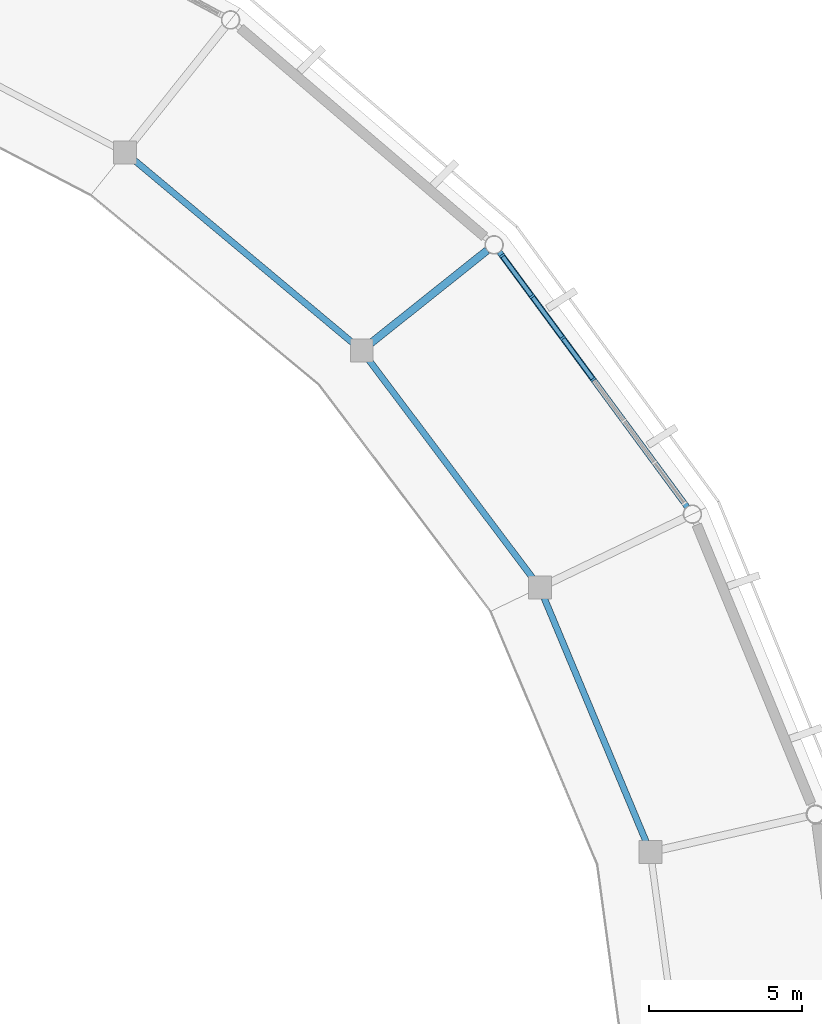
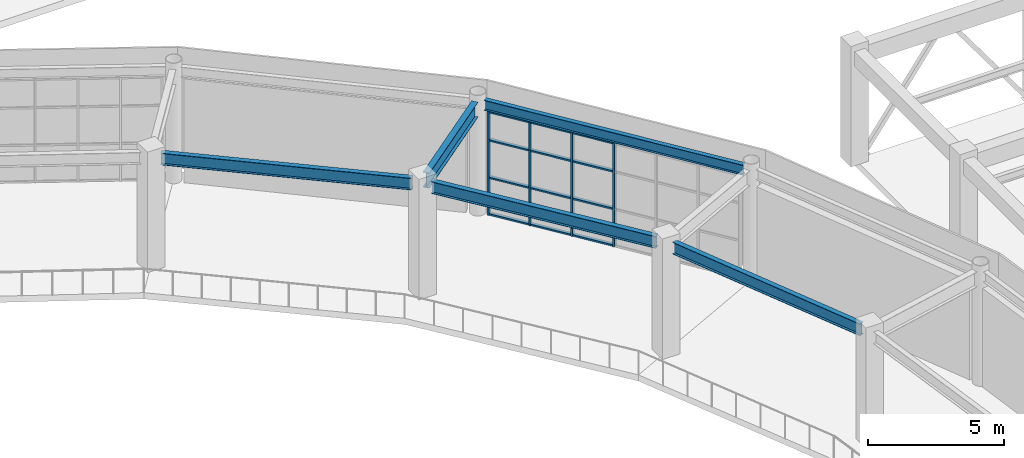
# One storey, part 29 of 70: 16 members, 5 beams, 1 element without a shape of its own.
"""IFC4 building model written with IfcOpenShell, lengths in metres."""

from ifc_helpers import new_model, si_unit, direction, frame, origin, origin_2d, place, context, subcontext, project, spatial, rectangle, i_section, extrude, material, material_profile, profile_set, type_object, element, aggregate, save


model = new_model("IFC4")

# Units and contexts
model_context = context("Model", 3, precision=1e-05, world=origin(), true_north=direction((0.0, 1.0)))
body_context = subcontext(model_context, "Body", "Model", "MODEL_VIEW")
ifc_project = project(units=[si_unit("LENGTHUNIT", "METRE"), si_unit("AREAUNIT", "SQUARE_METRE"), si_unit("VOLUMEUNIT", "CUBIC_METRE"), si_unit("PLANEANGLEUNIT", "RADIAN"), si_unit("MASSUNIT", "GRAM", prefix="KILO")], contexts=[model_context])

# Site, building, storey
site_placement = place(None, origin())
site = spatial("IfcSite", under=ifc_project, at=site_placement, CompositionType="ELEMENT")
building_placement = place(site_placement, origin())
building = spatial("IfcBuilding", under=site, at=building_placement, Name="Cuetzalor Civic Arena", CompositionType="ELEMENT")
storey_placement = place(building_placement, frame((0.0, 0.0, 21.0)))
storey = spatial("IfcBuildingStorey", under=building, at=storey_placement, Name="L04", CompositionType="ELEMENT", Elevation=21.0)

# Curtain wall, members
ifc_material_1 = material(Name="Anodised dark bronze aluminium and low-E solar glass", Category="aluminium")
curtain_wall_type = type_object("IfcCurtainWallType", Name="UnitisedCW_10150x4650", PredefinedType="USERDEFINED", material=ifc_material_1)
curtain_wall_placement = place(storey_placement, origin())
curtain_wall = element("IfcCurtainWall", 1, at=curtain_wall_placement, inside=storey, type_object=curtain_wall_type, Name="Drum Triangle Foyer Curtain Wall L04-057", ObjectType="UNITISED CURTAIN WALL", PredefinedType="USERDEFINED")
ifc_material_2 = material(Name="Anodised dark bronze aluminium", Category="aluminium")
ifc_material_profile_1 = material_profile(ifc_material_2, rectangle(XDim=0.070068359375, YDim=0.179931640625, at=origin_2d()), Name="ALU MULLION 70x180")
ifc_profile_set_1 = profile_set([ifc_material_profile_1], Name="Anodised dark bronze aluminium")
member_type_1 = type_object("IfcMemberType", Name="CurtainWallMullion_65x180", PredefinedType="MULLION", material=ifc_profile_set_1)
member_1_placement = place(storey_placement, frame((42.911865234375, 28.66650390625, 0.0), z_axis=(0.0, 0.0, 1.0), x_axis=(0.59292931222, -0.805254513002, 0.0)))
member_1 = element("IfcMember", 2, at=member_1_placement, type_object=member_type_1, Name="CW-06 mullion 1", PredefinedType="MULLION", context=body_context, shape_type="SweptSolid", body=[
    extrude(rectangle(XDim=0.070068359375, YDim=0.179931640625, at=origin_2d()), origin(), (0.0, 0.0, 1.0), 4.653076171875),
])
member_2_placement = place(storey_placement, frame((43.8935546875, 27.333251953125, 0.0), z_axis=(0.0, 0.0, 1.0), x_axis=(0.59292931222, -0.805254513002, 0.0)))
member_2 = element("IfcMember", 3, at=member_2_placement, type_object=member_type_1, Name="CW-06 mullion 2", PredefinedType="MULLION", context=body_context, shape_type="SweptSolid", body=[
    extrude(rectangle(XDim=0.070068359375, YDim=0.179931640625, at=origin_2d()), origin(), (0.0, 0.0, 1.0), 4.653076171875),
])
member_3_placement = place(storey_placement, frame((44.89599609375, 25.9716796875, 0.0), z_axis=(0.0, 0.0, 1.0), x_axis=(0.59292931222, -0.805254513002, 0.0)))
member_3 = element("IfcMember", 4, at=member_3_placement, type_object=member_type_1, Name="CW-06 mullion 3", PredefinedType="MULLION", context=body_context, shape_type="SweptSolid", body=[
    extrude(rectangle(XDim=0.070068359375, YDim=0.179931640625, at=origin_2d()), origin(), (0.0, 0.0, 1.0), 4.653076171875),
])
member_4_placement = place(storey_placement, frame((45.8984375, 24.6103515625, 0.0), z_axis=(0.0, 0.0, 1.0), x_axis=(0.59292931222, -0.805254513002, 0.0)))
member_4 = element("IfcMember", 5, at=member_4_placement, type_object=member_type_1, Name="CW-06 mullion 4", PredefinedType="MULLION", context=body_context, shape_type="SweptSolid", body=[
    extrude(rectangle(XDim=0.070068359375, YDim=0.179931640625, at=origin_2d()), origin(), (0.0, 0.0, 1.0), 4.653076171875),
])
ifc_material_3 = material(Name="Anodised dark bronze aluminium", Category="aluminium")
ifc_material_profile_2 = material_profile(ifc_material_3, rectangle(XDim=0.139892578125, YDim=0.070068359375, at=origin_2d()), Name="ALU TRANSOM 70x140")
ifc_profile_set_2 = profile_set([ifc_material_profile_2], Name="Anodised dark bronze aluminium")
member_type_2 = type_object("IfcMemberType", Name="CurtainWallTransom_65x140", PredefinedType="USERDEFINED", material=ifc_profile_set_2)
member_5_placement = place(storey_placement, frame((42.9326171875, 28.63818359375, 0.034912109375), z_axis=(0.59293115048, -0.805253159442, 0.0), x_axis=(0.805253159442, 0.59293115048, 0.0)))
member_5 = element("IfcMember", 6, at=member_5_placement, type_object=member_type_2, Name="CW-06 transom 1.1", ObjectType="TRANSOM", PredefinedType="USERDEFINED", context=body_context, shape_type="SweptSolid", body=[
    extrude(rectangle(XDim=0.139892578125, YDim=0.070068359375, at=origin_2d()), origin(), (0.0, 0.0, 1.0), 1.585693359375),
])
member_6_placement = place(storey_placement, frame((42.9326171875, 28.63818359375, 1.675048828125), z_axis=(0.59293115048, -0.805253159442, 0.0), x_axis=(0.805253159442, 0.59293115048, 0.0)))
member_6 = element("IfcMember", 7, at=member_6_placement, type_object=member_type_2, Name="CW-06 transom 1.2", ObjectType="TRANSOM", PredefinedType="USERDEFINED", context=body_context, shape_type="SweptSolid", body=[
    extrude(rectangle(XDim=0.139892578125, YDim=0.070068359375, at=origin_2d()), origin(), (0.0, 0.0, 1.0), 1.585693359375),
])
member_7_placement = place(storey_placement, frame((42.9326171875, 28.63818359375, 3.35009765625), z_axis=(0.59293115048, -0.805253159442, 0.0), x_axis=(0.805253159442, 0.59293115048, 0.0)))
member_7 = element("IfcMember", 8, at=member_7_placement, type_object=member_type_2, Name="CW-06 transom 1.3", ObjectType="TRANSOM", PredefinedType="USERDEFINED", context=body_context, shape_type="SweptSolid", body=[
    extrude(rectangle(XDim=0.139892578125, YDim=0.070068359375, at=origin_2d()), origin(), (0.0, 0.0, 1.0), 1.585693359375),
])
member_8_placement = place(storey_placement, frame((42.9326171875, 28.63818359375, 4.617919921875), z_axis=(0.59293115048, -0.805253159442, 0.0), x_axis=(0.805253159442, 0.59293115048, 0.0)))
member_8 = element("IfcMember", 9, at=member_8_placement, type_object=member_type_2, Name="CW-06 transom 1.4", ObjectType="TRANSOM", PredefinedType="USERDEFINED", context=body_context, shape_type="SweptSolid", body=[
    extrude(rectangle(XDim=0.139892578125, YDim=0.070068359375, at=origin_2d()), origin(), (0.0, 0.0, 1.0), 1.585693359375),
])
member_9_placement = place(storey_placement, frame((43.914306640625, 27.304931640625, 0.034912109375), z_axis=(0.592962622822, -0.805229984499, 0.0), x_axis=(0.805229984499, 0.592962622822, 0.0)))
member_9 = element("IfcMember", 10, at=member_9_placement, type_object=member_type_2, Name="CW-06 transom 2.1", ObjectType="TRANSOM", PredefinedType="USERDEFINED", context=body_context, shape_type="SweptSolid", body=[
    extrude(rectangle(XDim=0.139892578125, YDim=0.070068359375, at=origin_2d()), origin(), (0.0, 0.0, 1.0), 1.62060546875),
])
member_10_placement = place(storey_placement, frame((43.914306640625, 27.304931640625, 1.675048828125), z_axis=(0.592962622822, -0.805229984499, 0.0), x_axis=(0.805229984499, 0.592962622822, 0.0)))
member_10 = element("IfcMember", 11, at=member_10_placement, type_object=member_type_2, Name="CW-06 transom 2.2", ObjectType="TRANSOM", PredefinedType="USERDEFINED", context=body_context, shape_type="SweptSolid", body=[
    extrude(rectangle(XDim=0.139892578125, YDim=0.070068359375, at=origin_2d()), origin(), (0.0, 0.0, 1.0), 1.62060546875),
])
member_11_placement = place(storey_placement, frame((43.914306640625, 27.304931640625, 3.35009765625), z_axis=(0.592962622822, -0.805229984499, 0.0), x_axis=(0.805229984499, 0.592962622822, 0.0)))
member_11 = element("IfcMember", 12, at=member_11_placement, type_object=member_type_2, Name="CW-06 transom 2.3", ObjectType="TRANSOM", PredefinedType="USERDEFINED", context=body_context, shape_type="SweptSolid", body=[
    extrude(rectangle(XDim=0.139892578125, YDim=0.070068359375, at=origin_2d()), origin(), (0.0, 0.0, 1.0), 1.62060546875),
])
member_12_placement = place(storey_placement, frame((43.914306640625, 27.304931640625, 4.617919921875), z_axis=(0.592962622822, -0.805229984499, 0.0), x_axis=(0.805229984499, 0.592962622822, 0.0)))
member_12 = element("IfcMember", 13, at=member_12_placement, type_object=member_type_2, Name="CW-06 transom 2.4", ObjectType="TRANSOM", PredefinedType="USERDEFINED", context=body_context, shape_type="SweptSolid", body=[
    extrude(rectangle(XDim=0.139892578125, YDim=0.070068359375, at=origin_2d()), origin(), (0.0, 0.0, 1.0), 1.62060546875),
])
member_13_placement = place(storey_placement, frame((44.916748046875, 25.943603515625, 0.034912109375), z_axis=(0.592962622822, -0.805229984499, 0.0), x_axis=(0.805229984499, 0.592962622822, 0.0)))
member_13 = element("IfcMember", 14, at=member_13_placement, type_object=member_type_2, Name="CW-06 transom 3.1", ObjectType="TRANSOM", PredefinedType="USERDEFINED", context=body_context, shape_type="SweptSolid", body=[
    extrude(rectangle(XDim=0.139892578125, YDim=0.070068359375, at=origin_2d()), origin(), (0.0, 0.0, 1.0), 1.62060546875),
])
member_14_placement = place(storey_placement, frame((44.916748046875, 25.943603515625, 1.675048828125), z_axis=(0.592962622822, -0.805229984499, 0.0), x_axis=(0.805229984499, 0.592962622822, 0.0)))
member_14 = element("IfcMember", 15, at=member_14_placement, type_object=member_type_2, Name="CW-06 transom 3.2", ObjectType="TRANSOM", PredefinedType="USERDEFINED", context=body_context, shape_type="SweptSolid", body=[
    extrude(rectangle(XDim=0.139892578125, YDim=0.070068359375, at=origin_2d()), origin(), (0.0, 0.0, 1.0), 1.62060546875),
])
member_15_placement = place(storey_placement, frame((44.916748046875, 25.943603515625, 3.35009765625), z_axis=(0.592962622822, -0.805229984499, 0.0), x_axis=(0.805229984499, 0.592962622822, 0.0)))
member_15 = element("IfcMember", 16, at=member_15_placement, type_object=member_type_2, Name="CW-06 transom 3.3", ObjectType="TRANSOM", PredefinedType="USERDEFINED", context=body_context, shape_type="SweptSolid", body=[
    extrude(rectangle(XDim=0.139892578125, YDim=0.070068359375, at=origin_2d()), origin(), (0.0, 0.0, 1.0), 1.62060546875),
])
member_16_placement = place(storey_placement, frame((44.916748046875, 25.943603515625, 4.617919921875), z_axis=(0.592962622822, -0.805229984499, 0.0), x_axis=(0.805229984499, 0.592962622822, 0.0)))
member_16 = element("IfcMember", 17, at=member_16_placement, type_object=member_type_2, Name="CW-06 transom 3.4", ObjectType="TRANSOM", PredefinedType="USERDEFINED", context=body_context, shape_type="SweptSolid", body=[
    extrude(rectangle(XDim=0.139892578125, YDim=0.070068359375, at=origin_2d()), origin(), (0.0, 0.0, 1.0), 1.62060546875),
])
aggregate(curtain_wall, [member_1, member_2, member_3, member_4, member_5, member_6, member_7, member_8, member_9, member_10, member_11, member_12, member_13, member_14, member_15, member_16])

# Beams
ifc_material_4 = material(Name="Steel S355", Category="steel")
ifc_material_profile_3 = material_profile(ifc_material_4, i_section(OverallWidth=0.18994140625, OverallDepth=0.45703125, WebThickness=0.009033203125, FlangeThickness=0.014404296875, at=origin_2d()), Name="W460x74")
ifc_profile_set_3 = profile_set([ifc_material_profile_3], Name="Steel S355")
beam_type_1 = type_object("IfcBeamType", Name="FacadeSpandrelBeam_W460", PredefinedType="SPANDREL", material=ifc_profile_set_3)
beam_1_placement = place(storey_placement, frame((48.975830078125, 20.430908203125, 4.8916015625), z_axis=(-0.592928645702, 0.805255003776, 0.0), x_axis=(-0.805255003776, -0.592928645702, 0.0)))
element("IfcBeam", 18, at=beam_1_placement, inside=storey, type_object=beam_type_1, Name="Drum Perimeter Spandrel L04-S03", PredefinedType="SPANDREL", context=body_context, shape_type="SweptSolid", body=[
    extrude(i_section(OverallWidth=0.18994140625, OverallDepth=0.45703125, WebThickness=0.009033203125, FlangeThickness=0.014404296875, at=origin_2d()), origin(), (0.0, 0.0, 1.0), 10.380615234375),
])
ifc_material_5 = material(Name="Steel S355", Category="steel")
ifc_material_profile_4 = material_profile(ifc_material_5, i_section(OverallWidth=0.208984375, OverallDepth=0.532958984375, WebThickness=0.01025390625, FlangeThickness=0.015625, at=origin_2d()), Name="W530x92")
ifc_profile_set_4 = profile_set([ifc_material_profile_4], Name="Steel S355")
beam_type_2 = type_object("IfcBeamType", Name="SteelCollarGirder_W530", PredefinedType="BEAM", material=ifc_profile_set_4)
beam_2_placement = place(storey_placement, frame((47.628662109375, 9.46484375, 4.853515625), z_axis=(-0.385813116722, 0.922576955579, 0.0), x_axis=(-0.922576955579, -0.385813116722, 0.0)))
element("IfcBeam", 19, at=beam_2_placement, inside=storey, type_object=beam_type_2, Name="Drum Concourse Ring Girder L04-S02", PredefinedType="BEAM", context=body_context, shape_type="SweptSolid", body=[
    extrude(i_section(OverallWidth=0.208984375, OverallDepth=0.532958984375, WebThickness=0.01025390625, FlangeThickness=0.015625, at=origin_2d()), origin(), (0.0, 0.0, 1.0), 8.65283203125),
])
beam_3_placement = place(storey_placement, frame((43.92529296875, 18.085205078125, 4.853515625), z_axis=(-0.600491348624, 0.799631252658, 0.0), x_axis=(-0.799631252658, -0.600491348624, 0.0)))
element("IfcBeam", 20, at=beam_3_placement, inside=storey, type_object=beam_type_2, Name="Drum Concourse Ring Girder L04-S03", PredefinedType="BEAM", context=body_context, shape_type="SweptSolid", body=[
    extrude(i_section(OverallWidth=0.208984375, OverallDepth=0.532958984375, WebThickness=0.01025390625, FlangeThickness=0.015625, at=origin_2d()), origin(), (0.0, 0.0, 1.0), 8.9814453125),
])
beam_4_placement = place(storey_placement, frame((38.02587890625, 25.800537109375, 4.853515625), z_axis=(-0.766937066427, 0.641722320121, 0.0), x_axis=(-0.641722320121, -0.766937066427, 0.0)))
element("IfcBeam", 21, at=beam_4_placement, inside=storey, type_object=beam_type_2, Name="Drum Concourse Ring Girder L04-S04", PredefinedType="BEAM", context=body_context, shape_type="SweptSolid", body=[
    extrude(i_section(OverallWidth=0.208984375, OverallDepth=0.532958984375, WebThickness=0.01025390625, FlangeThickness=0.015625, at=origin_2d()), origin(), (0.0, 0.0, 1.0), 9.37646484375),
])
ifc_material_6 = material(Name="Steel S355", Category="steel")
ifc_material_profile_5 = material_profile(ifc_material_6, i_section(OverallWidth=0.2529296875, OverallDepth=0.677978515625, WebThickness=0.01171875, FlangeThickness=0.016357421875, at=origin_2d()), Name="W690x125")
ifc_profile_set_5 = profile_set([ifc_material_profile_5], Name="Steel S355")
beam_type_3 = type_object("IfcBeamType", Name="SteelPrimaryGirder_W690", PredefinedType="BEAM", material=ifc_profile_set_5)
beam_5_placement = place(storey_placement, frame((38.59130859375, 25.78759765625, 4.781005859375), z_axis=(0.781810957258, 0.623515538789, 0.0), x_axis=(-0.623515538789, 0.781810957258, 0.0)))
element("IfcBeam", 22, at=beam_5_placement, inside=storey, type_object=beam_type_3, Name="Drum Radial Girder L04-R04", PredefinedType="BEAM", context=body_context, shape_type="SweptSolid", body=[
    extrude(i_section(OverallWidth=0.2529296875, OverallDepth=0.677978515625, WebThickness=0.01171875, FlangeThickness=0.016357421875, at=origin_2d()), origin(), (0.0, 0.0, 1.0), 4.89990234375),
])

save(model, "model.ifc")
